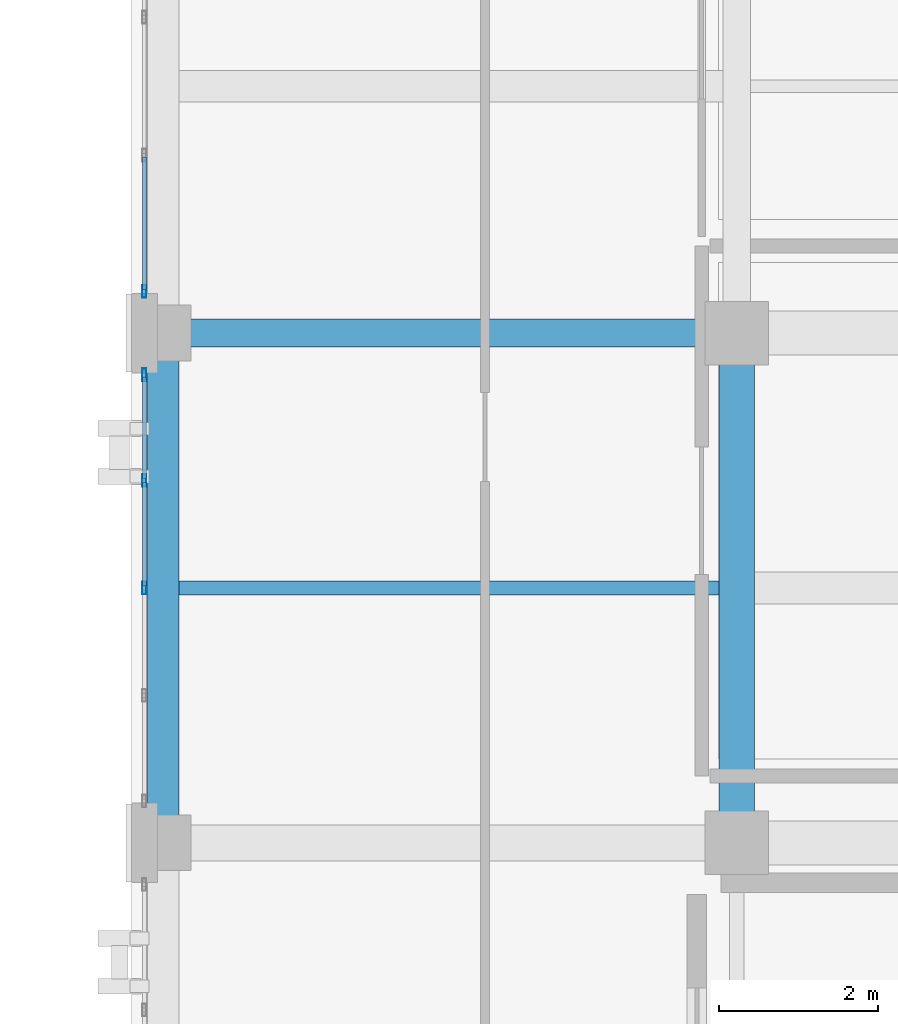
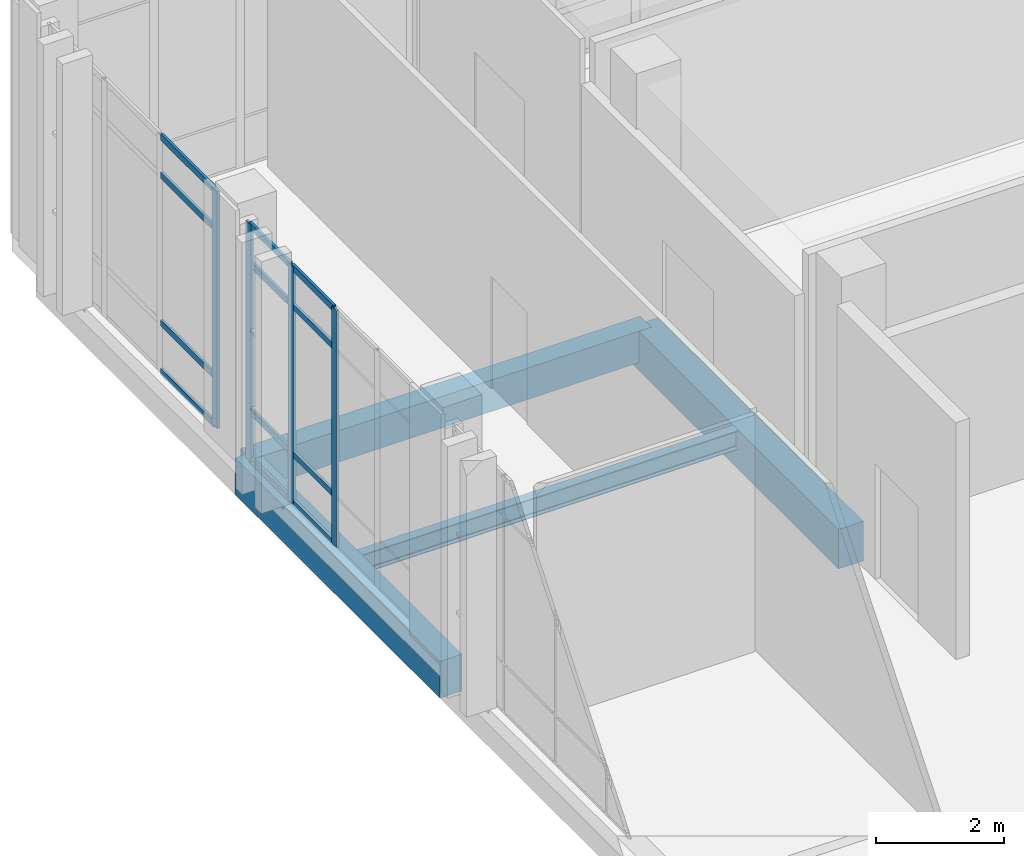
# One storey, part 100 of 189: 16 members, 4 beams, 2 elements without a shape of their own.
"""IFC4 building model written with IfcOpenShell, lengths in metres."""

from ifc_helpers import new_model, si_unit, direction, frame, origin, origin_2d, place, context, subcontext, project, spatial, rectangle, hollow_rectangle, i_section, extrude, material, layer, layer_set, material_profile, profile_set, type_object, element, aggregate, save


model = new_model("IFC4")

# Units and contexts
model_context = context("Model", 3, precision=1e-05, world=origin(), true_north=direction((0.0, 1.0)))
body_context = subcontext(model_context, "Body", "Model", "MODEL_VIEW")
ifc_project = project(units=[si_unit("LENGTHUNIT", "METRE"), si_unit("AREAUNIT", "SQUARE_METRE"), si_unit("VOLUMEUNIT", "CUBIC_METRE"), si_unit("PLANEANGLEUNIT", "RADIAN"), si_unit("MASSUNIT", "GRAM", prefix="KILO")], contexts=[model_context])

# Site, building, storey
site_placement = place(None, origin())
site = spatial("IfcSite", under=ifc_project, at=site_placement, CompositionType="ELEMENT")
building_placement = place(site_placement, origin())
building = spatial("IfcBuilding", under=site, at=building_placement, Name="Qalavern Law Courts", CompositionType="ELEMENT")
storey_placement = place(building_placement, frame((0.0, 0.0, 5.39990234375)))
storey = spatial("IfcBuildingStorey", under=building, at=storey_placement, Name="L01", CompositionType="ELEMENT", Elevation=5.39990234375)

# Curtain wall, member
ifc_material_1 = material(Name="Anodised aluminium and insulated glazing", Category="aluminium")
ifc_layer = layer(ifc_material_1, 0.172119140625)
ifc_layer_set = layer_set([ifc_layer], Name="Anodised aluminium and insulated glazing")
curtain_wall_type = type_object("IfcCurtainWallType", Name="ENV-CW-COURT", PredefinedType="USERDEFINED", material=ifc_layer_set)
curtain_wall_1_placement = place(storey_placement, origin())
curtain_wall_1 = element("IfcCurtainWall", 1, at=curtain_wall_1_placement, inside=storey, type_object=curtain_wall_type, Name="V4 unitised curtain wall L01 west 1", ObjectType="UNITISED CURTAIN WALL", PredefinedType="USERDEFINED")
ifc_material_2 = material(Name="Anodised aluminium", Category="aluminium")
ifc_material_profile_1 = material_profile(ifc_material_2, hollow_rectangle(XDim=0.048095703125, YDim=0.159912109375, WallThickness=0.00390625, at=origin_2d()), Name="ALU MULLION 48x160")
ifc_profile_set_1 = profile_set([ifc_material_profile_1], Name="Anodised aluminium")
member_type_1 = type_object("IfcMemberType", Name="ENV-CWM-48x160", PredefinedType="MULLION", material=ifc_profile_set_1)
member_1_placement = place(storey_placement, frame((84.362548828125, 79.72412109375, 0.0), z_axis=(0.0, 0.0, 1.0), x_axis=(1.0, 0.0, 0.0)))
member_1 = element("IfcMember", 2, at=member_1_placement, type_object=member_type_1, Name="CW-03 mullion 4", PredefinedType="MULLION", context=body_context, shape_type="SweptSolid", body=[
    extrude(hollow_rectangle(XDim=0.048095703125, YDim=0.159912109375, WallThickness=0.00390625, at=origin_2d()), origin(), (0.0, 0.0, 1.0), 4.510009765625),
])

# Curtain wall, members
curtain_wall_2_placement = place(storey_placement, origin())
curtain_wall_2 = element("IfcCurtainWall", 3, at=curtain_wall_2_placement, inside=storey, type_object=curtain_wall_type, Name="V4 unitised curtain wall L01 west 2", ObjectType="UNITISED CURTAIN WALL", PredefinedType="USERDEFINED")
member_2_placement = place(storey_placement, frame((84.362548828125, 78.676025390625, 0.0), z_axis=(0.0, 0.0, 1.0), x_axis=(1.0, 0.0, 0.0)))
member_2 = element("IfcMember", 4, at=member_2_placement, type_object=member_type_1, Name="CW-03 mullion 1", PredefinedType="MULLION", context=body_context, shape_type="SweptSolid", body=[
    extrude(hollow_rectangle(XDim=0.048095703125, YDim=0.159912109375, WallThickness=0.00390625, at=origin_2d()), origin(), (0.0, 0.0, 1.0), 4.510009765625),
])
member_3_placement = place(storey_placement, frame((84.362548828125, 77.35009765625, 0.0), z_axis=(0.0, 0.0, 1.0), x_axis=(1.0, 0.0, 0.0)))
member_3 = element("IfcMember", 5, at=member_3_placement, type_object=member_type_1, Name="CW-03 mullion 2", PredefinedType="MULLION", context=body_context, shape_type="SweptSolid", body=[
    extrude(hollow_rectangle(XDim=0.048095703125, YDim=0.159912109375, WallThickness=0.00390625, at=origin_2d()), origin(), (0.0, 0.0, 1.0), 4.510009765625),
])
member_4_placement = place(storey_placement, frame((84.362548828125, 76.0, 0.0), z_axis=(0.0, 0.0, 1.0), x_axis=(1.0, 0.0, 0.0)))
member_4 = element("IfcMember", 6, at=member_4_placement, type_object=member_type_1, Name="CW-03 mullion 3", PredefinedType="MULLION", context=body_context, shape_type="SweptSolid", body=[
    extrude(hollow_rectangle(XDim=0.048095703125, YDim=0.159912109375, WallThickness=0.00390625, at=origin_2d()), origin(), (0.0, 0.0, 1.0), 4.510009765625),
])

# Member
ifc_material_profile_2 = material_profile(ifc_material_2, hollow_rectangle(XDim=0.048095703125, YDim=0.1201171875, WallThickness=0.00390625, at=origin_2d()), Name="ALU TRANSOM 48x120")
ifc_profile_set_2 = profile_set([ifc_material_profile_2], Name="Anodised aluminium")
member_type_2 = type_object("IfcMemberType", Name="ENV-CWT-48x120", PredefinedType="USERDEFINED", material=ifc_profile_set_2)
member_5_placement = place(storey_placement, frame((84.362548828125, 81.409423828125, 0.024169921875), z_axis=(0.0, -1.0, 0.0), x_axis=(1.0, 0.0, 0.0)))
member_5 = element("IfcMember", 7, at=member_5_placement, type_object=member_type_2, Name="CW-03 transom 3.1", ObjectType="TRANSOM", PredefinedType="USERDEFINED", context=body_context, shape_type="SweptSolid", body=[
    extrude(hollow_rectangle(XDim=0.048095703125, YDim=0.1201171875, WallThickness=0.00390625, at=origin_2d()), origin(), (0.0, 0.0, 1.0), 1.661376953125),
])

member_6_placement = place(storey_placement, frame((84.362548828125, 81.409423828125, 0.9501953125), z_axis=(0.0, -1.0, 0.0), x_axis=(1.0, 0.0, 0.0)))
member_6 = element("IfcMember", 8, at=member_6_placement, type_object=member_type_2, Name="CW-03 transom 3.2", ObjectType="TRANSOM", PredefinedType="USERDEFINED", context=body_context, shape_type="SweptSolid", body=[
    extrude(hollow_rectangle(XDim=0.048095703125, YDim=0.1201171875, WallThickness=0.00390625, at=origin_2d()), origin(), (0.0, 0.0, 1.0), 1.661376953125),
])

member_7_placement = place(storey_placement, frame((84.362548828125, 81.409423828125, 3.760009765625), z_axis=(0.0, -1.0, 0.0), x_axis=(1.0, 0.0, 0.0)))
member_7 = element("IfcMember", 9, at=member_7_placement, type_object=member_type_2, Name="CW-03 transom 3.3", ObjectType="TRANSOM", PredefinedType="USERDEFINED", context=body_context, shape_type="SweptSolid", body=[
    extrude(hollow_rectangle(XDim=0.048095703125, YDim=0.1201171875, WallThickness=0.00390625, at=origin_2d()), origin(), (0.0, 0.0, 1.0), 1.661376953125),
])

member_8_placement = place(storey_placement, frame((84.362548828125, 81.409423828125, 4.486083984375), z_axis=(0.0, -1.0, 0.0), x_axis=(1.0, 0.0, 0.0)))
member_8 = element("IfcMember", 10, at=member_8_placement, type_object=member_type_2, Name="CW-03 transom 3.4", ObjectType="TRANSOM", PredefinedType="USERDEFINED", context=body_context, shape_type="SweptSolid", body=[
    extrude(hollow_rectangle(XDim=0.048095703125, YDim=0.1201171875, WallThickness=0.00390625, at=origin_2d()), origin(), (0.0, 0.0, 1.0), 1.661376953125),
])

aggregate(curtain_wall_1, [member_1, member_5, member_6, member_7, member_8])

member_9_placement = place(storey_placement, frame((84.362548828125, 78.652099609375, 0.024169921875), z_axis=(0.0, -1.0, 0.0), x_axis=(1.0, 0.0, 0.0)))
member_9 = element("IfcMember", 11, at=member_9_placement, type_object=member_type_2, Name="CW-03 transom 1.1", ObjectType="TRANSOM", PredefinedType="USERDEFINED", context=body_context, shape_type="SweptSolid", body=[
    extrude(hollow_rectangle(XDim=0.048095703125, YDim=0.1201171875, WallThickness=0.00390625, at=origin_2d()), origin(), (0.0, 0.0, 1.0), 1.278076171875),
])

member_10_placement = place(storey_placement, frame((84.362548828125, 78.652099609375, 0.9501953125), z_axis=(0.0, -1.0, 0.0), x_axis=(1.0, 0.0, 0.0)))
member_10 = element("IfcMember", 12, at=member_10_placement, type_object=member_type_2, Name="CW-03 transom 1.2", ObjectType="TRANSOM", PredefinedType="USERDEFINED", context=body_context, shape_type="SweptSolid", body=[
    extrude(hollow_rectangle(XDim=0.048095703125, YDim=0.1201171875, WallThickness=0.00390625, at=origin_2d()), origin(), (0.0, 0.0, 1.0), 1.278076171875),
])

member_11_placement = place(storey_placement, frame((84.362548828125, 78.652099609375, 3.760009765625), z_axis=(0.0, -1.0, 0.0), x_axis=(1.0, 0.0, 0.0)))
member_11 = element("IfcMember", 13, at=member_11_placement, type_object=member_type_2, Name="CW-03 transom 1.3", ObjectType="TRANSOM", PredefinedType="USERDEFINED", context=body_context, shape_type="SweptSolid", body=[
    extrude(hollow_rectangle(XDim=0.048095703125, YDim=0.1201171875, WallThickness=0.00390625, at=origin_2d()), origin(), (0.0, 0.0, 1.0), 1.278076171875),
])

member_12_placement = place(storey_placement, frame((84.362548828125, 78.652099609375, 4.486083984375), z_axis=(0.0, -1.0, 0.0), x_axis=(1.0, 0.0, 0.0)))
member_12 = element("IfcMember", 14, at=member_12_placement, type_object=member_type_2, Name="CW-03 transom 1.4", ObjectType="TRANSOM", PredefinedType="USERDEFINED", context=body_context, shape_type="SweptSolid", body=[
    extrude(hollow_rectangle(XDim=0.048095703125, YDim=0.1201171875, WallThickness=0.00390625, at=origin_2d()), origin(), (0.0, 0.0, 1.0), 1.278076171875),
])

member_13_placement = place(storey_placement, frame((84.362548828125, 77.325927734375, 0.024169921875), z_axis=(0.0, -1.0, 0.0), x_axis=(1.0, 0.0, 0.0)))
member_13 = element("IfcMember", 15, at=member_13_placement, type_object=member_type_2, Name="CW-03 transom 2.1", ObjectType="TRANSOM", PredefinedType="USERDEFINED", context=body_context, shape_type="SweptSolid", body=[
    extrude(hollow_rectangle(XDim=0.048095703125, YDim=0.1201171875, WallThickness=0.00390625, at=origin_2d()), origin(), (0.0, 0.0, 1.0), 1.302001953125),
])

member_14_placement = place(storey_placement, frame((84.362548828125, 77.325927734375, 0.9501953125), z_axis=(0.0, -1.0, 0.0), x_axis=(1.0, 0.0, 0.0)))
member_14 = element("IfcMember", 16, at=member_14_placement, type_object=member_type_2, Name="CW-03 transom 2.2", ObjectType="TRANSOM", PredefinedType="USERDEFINED", context=body_context, shape_type="SweptSolid", body=[
    extrude(hollow_rectangle(XDim=0.048095703125, YDim=0.1201171875, WallThickness=0.00390625, at=origin_2d()), origin(), (0.0, 0.0, 1.0), 1.302001953125),
])

member_15_placement = place(storey_placement, frame((84.362548828125, 77.325927734375, 3.760009765625), z_axis=(0.0, -1.0, 0.0), x_axis=(1.0, 0.0, 0.0)))
member_15 = element("IfcMember", 17, at=member_15_placement, type_object=member_type_2, Name="CW-03 transom 2.3", ObjectType="TRANSOM", PredefinedType="USERDEFINED", context=body_context, shape_type="SweptSolid", body=[
    extrude(hollow_rectangle(XDim=0.048095703125, YDim=0.1201171875, WallThickness=0.00390625, at=origin_2d()), origin(), (0.0, 0.0, 1.0), 1.302001953125),
])

member_16_placement = place(storey_placement, frame((84.362548828125, 77.325927734375, 4.486083984375), z_axis=(0.0, -1.0, 0.0), x_axis=(1.0, 0.0, 0.0)))
member_16 = element("IfcMember", 18, at=member_16_placement, type_object=member_type_2, Name="CW-03 transom 2.4", ObjectType="TRANSOM", PredefinedType="USERDEFINED", context=body_context, shape_type="SweptSolid", body=[
    extrude(hollow_rectangle(XDim=0.048095703125, YDim=0.1201171875, WallThickness=0.00390625, at=origin_2d()), origin(), (0.0, 0.0, 1.0), 1.302001953125),
])

aggregate(curtain_wall_2, [member_2, member_3, member_4, member_9, member_10, member_11, member_12, member_13, member_14, member_15, member_16])

# Beams
ifc_material_3 = material(Name="Concrete C35/45", Category="concrete")
ifc_material_profile_3 = material_profile(ifc_material_3, rectangle(XDim=0.35009765625, YDim=0.60009765625, at=origin_2d()), Name="RC 350x600")
ifc_profile_set_3 = profile_set([ifc_material_profile_3], Name="Concrete C35/45")
beam_type_1 = type_object("IfcBeamType", Name="STR-BM-RC350x600", PredefinedType="BEAM", material=ifc_profile_set_3)
beam_1_placement = place(storey_placement, frame((84.60009765625, 79.199951171875, -0.599853515625), z_axis=(1.0, 0.0, 0.0), x_axis=(0.0, 1.0, 0.0)))
element("IfcBeam", 19, at=beam_1_placement, inside=storey, type_object=beam_type_1, Name="V4 X-beam 6-1 L01", PredefinedType="BEAM", context=body_context, shape_type="SweptSolid", body=[
    extrude(rectangle(XDim=0.35009765625, YDim=0.60009765625, at=origin_2d()), origin(), (0.0, 0.0, 1.0), 7.199951171875),
])
ifc_material_4 = material(Name="Concrete C40/50", Category="concrete")
ifc_material_profile_4 = material_profile(ifc_material_4, rectangle(XDim=0.449951171875, YDim=0.75, at=origin_2d()), Name="RC 450x750")
ifc_profile_set_4 = profile_set([ifc_material_profile_4], Name="Concrete C40/50")
beam_type_2 = type_object("IfcBeamType", Name="STR-BM-RC450x750", PredefinedType="BEAM", material=ifc_profile_set_4)
beam_2_placement = place(storey_placement, frame((91.800048828125, 72.800048828125, -0.6748046875), z_axis=(0.0, 1.0, 0.0), x_axis=(-1.0, 0.0, 0.0)))
element("IfcBeam", 20, at=beam_2_placement, inside=storey, type_object=beam_type_2, Name="V4 Y-beam 2-4 L01", PredefinedType="BEAM", context=body_context, shape_type="SweptSolid", body=[
    extrude(rectangle(XDim=0.449951171875, YDim=0.75, at=origin_2d()), origin(), (0.0, 0.0, 1.0), 6.39990234375),
])
ifc_material_5 = material(Name="Steel S355", Category="steel")
ifc_material_profile_5 = material_profile(ifc_material_5, i_section(OverallWidth=0.169921875, OverallDepth=0.360107421875, WebThickness=0.008056640625, FlangeThickness=0.0126953125, FilletRadius=0.01806640625, at=origin_2d()), Name="IPE 360")
ifc_profile_set_5 = profile_set([ifc_material_profile_5], Name="Steel S355")
beam_type_3 = type_object("IfcBeamType", Name="STR-JST-IPE360", PredefinedType="JOIST", material=ifc_profile_set_5)
beam_3_placement = place(storey_placement, frame((84.798095703125, 76.0, -0.47998046875), z_axis=(1.0, 0.0, 0.0), x_axis=(0.0, 1.0, 0.0)))
element("IfcBeam", 21, at=beam_3_placement, inside=storey, type_object=beam_type_3, Name="V4 secondary joist 1.5.1 L01", PredefinedType="JOIST", context=body_context, shape_type="SweptSolid", body=[
    extrude(i_section(OverallWidth=0.169921875, OverallDepth=0.360107421875, WebThickness=0.008056640625, FlangeThickness=0.0126953125, FilletRadius=0.01806640625, at=origin_2d()), origin(), (0.0, 0.0, 1.0), 6.77880859375),
])
ifc_material_profile_6 = material_profile(ifc_material_4, rectangle(XDim=0.39990234375, YDim=0.699951171875, at=origin_2d()), Name="RC 400x700")
ifc_profile_set_6 = profile_set([ifc_material_profile_6], Name="Concrete C40/50")
beam_type_4 = type_object("IfcBeamType", Name="STR-SP-RC400x700", PredefinedType="SPANDREL", material=ifc_profile_set_6)
beam_4_placement = place(storey_placement, frame((84.60009765625, 72.800048828125, -0.64990234375), z_axis=(0.0, 1.0, 0.0), x_axis=(-1.0, 0.0, 0.0)))
element("IfcBeam", 22, at=beam_4_placement, inside=storey, type_object=beam_type_4, Name="V4 Y-beam 1-5 L01", PredefinedType="SPANDREL", context=body_context, shape_type="SweptSolid", body=[
    extrude(rectangle(XDim=0.39990234375, YDim=0.699951171875, at=origin_2d()), origin(), (0.0, 0.0, 1.0), 6.39990234375),
])

save(model, "model.ifc")
